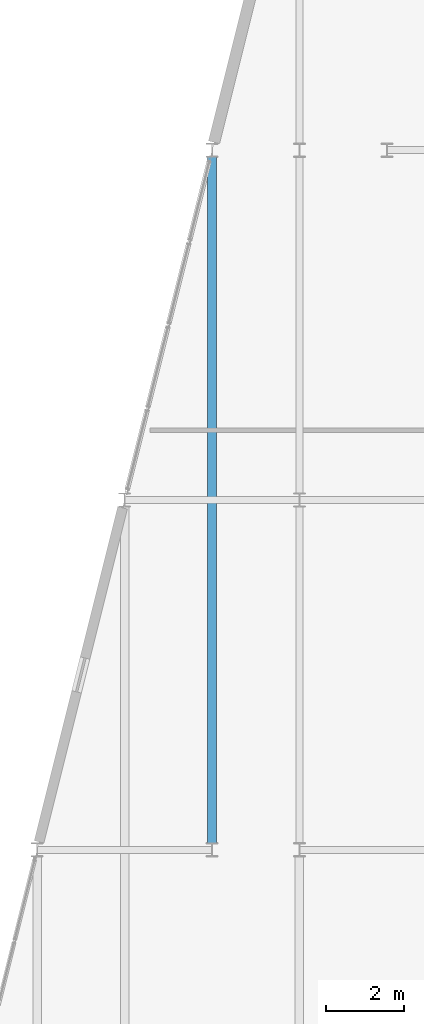
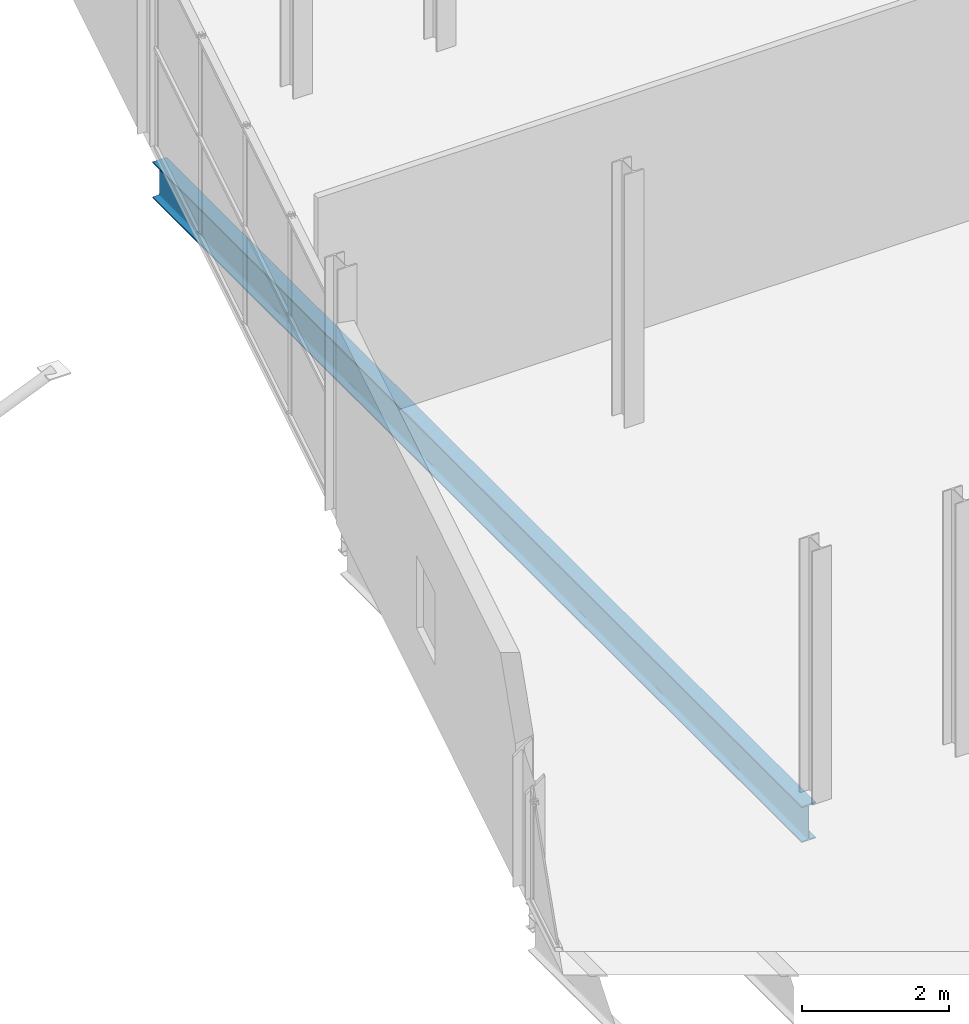
# One storey, part 96 of 140: 1 beam.
"""IFC4 building model written with IfcOpenShell, lengths in metres."""

import ifcopenshell
import ifcopenshell.guid

model = None  # the IFC model being written
_history = None  # IfcOwnerHistory: only IFC2X3 demands one
_inside = {}  # id of a spatial element -> (the spatial element, [elements in it])
_under = {}  # id of a project, library or spatial element -> (it, [spatial elements below it])
_declared = {}  # id of a project -> (the project, [libraries it declares])
_typed = {}  # id of a type object -> (the type object, [elements of that type])
_made_of = {}  # id of a material, layer set ... -> (it, [elements and type objects made of it])


def new_model(schema):
    """Start an empty IFC model of exactly this schema.

    Asked for "IFC4X3", IfcOpenShell would pick the latest addendum, in which some entities
    have other attributes; the version numbers below select the first issue.
    IFC2X3 requires an IfcOwnerHistory on every rooted entity: one is made here for all.
    """
    global model, _history
    if schema == "IFC4X3":
        model = ifcopenshell.file(schema_version=(4, 3, 0, 0))
    else:
        model = ifcopenshell.file(schema=schema)
    _inside.clear()
    _under.clear()
    _declared.clear()
    _typed.clear()
    _made_of.clear()
    _history = None
    if model.schema == "IFC2X3":
        org = make("IfcOrganization", Name="unknown")
        user = make(
            "IfcPersonAndOrganization",
            ThePerson=make("IfcPerson", FamilyName="unknown"),
            TheOrganization=org,
        )
        app = make(
            "IfcApplication",
            ApplicationDeveloper=org,
            Version="unknown",
            ApplicationFullName="unknown",
            ApplicationIdentifier="unknown",
        )
        _history = make(
            "IfcOwnerHistory",
            OwningUser=user,
            OwningApplication=app,
            ChangeAction="ADDED",
            CreationDate=0,
        )
    return model


def make(cls, **values):
    """One entity of the class cls with the attributes given. An attribute that is None is left unset."""
    return model.create_entity(
        cls, **{name: value for name, value in values.items() if value is not None}
    )


def rooted(cls, **values):
    """An entity with a GlobalId (a new one), such as an element, a storey or a relation."""
    return make(cls, GlobalId=ifcopenshell.guid.new(), OwnerHistory=_history, **values)


def si_unit(unit_type, name, prefix=None):
    """IfcSIUnit, for example si_unit("LENGTHUNIT", "METRE", prefix="MILLI")."""
    return make("IfcSIUnit", UnitType=unit_type, Prefix=prefix, Name=name)


def assignment(units):
    """IfcUnitAssignment: the units of a project."""
    return None if units is None else make("IfcUnitAssignment", Units=units)


def point(xyz):
    """IfcCartesianPoint."""
    return None if xyz is None else make("IfcCartesianPoint", Coordinates=xyz)


def direction(xyz):
    """IfcDirection."""
    return None if xyz is None else make("IfcDirection", DirectionRatios=xyz)


def frame(location, z_axis=None, x_axis=None):
    """IfcAxis2Placement3D, a coordinate frame: its origin and axes. An axis left out is left unset."""
    return make(
        "IfcAxis2Placement3D",
        Location=point(location),
        Axis=direction(z_axis),
        RefDirection=direction(x_axis),
    )


def frame_2d(location, x_axis=None):
    """IfcAxis2Placement2D, a coordinate frame in the plane: its origin and x axis."""
    return make(
        "IfcAxis2Placement2D", Location=point(location), RefDirection=direction(x_axis)
    )


def origin():
    """The frame at (0, 0, 0) with its axes left unset."""
    return frame((0.0, 0.0, 0.0))


def origin_2d():
    """The frame at (0, 0) in the plane with its x axis left unset."""
    return frame_2d((0.0, 0.0))


def place(relative_to, where):
    """IfcLocalPlacement: puts the frame where relative to a parent placement (None: the world)."""
    return make(
        "IfcLocalPlacement", PlacementRelTo=relative_to, RelativePlacement=where
    )


def context(
    kind, dimensions, precision=None, world=None, true_north=None, identifier=None
):
    """IfcGeometricRepresentationContext, for example the 3D "Model" context."""
    return make(
        "IfcGeometricRepresentationContext",
        ContextIdentifier=identifier,
        ContextType=kind,
        CoordinateSpaceDimension=dimensions,
        Precision=precision,
        WorldCoordinateSystem=world,
        TrueNorth=true_north,
    )


def subcontext(parent, identifier, kind, view, scale=None):
    """IfcGeometricRepresentationSubContext, for example "Body" below "Model"."""
    return make(
        "IfcGeometricRepresentationSubContext",
        ContextIdentifier=identifier,
        ContextType=kind,
        ParentContext=parent,
        TargetScale=scale,
        TargetView=view,
    )


def project(units=None, contexts=None):
    """IfcProject with its units and contexts."""
    return rooted(
        "IfcProject",
        Name="project",
        RepresentationContexts=contexts,
        UnitsInContext=assignment(units),
    )


def spatial(cls, under=None, at=None, **own):
    """A site, building, storey or space (cls), placed at a placement, below another one or the project."""
    s = rooted(cls, ObjectPlacement=at, **own)
    if under is not None:
        _under.setdefault(under.id(), (under, []))[1].append(s)
    return s


def profile(cls, at=None, kind="AREA", **sizes):
    """A parametric profile (cls). Its sizes go by their IFC names, for example OverallWidth=200.0."""
    return make(cls, ProfileType=kind, Position=at, **sizes)


def i_section(**sizes):
    """IfcIShapeProfileDef."""
    return profile("IfcIShapeProfileDef", **sizes)


def extrude(swept, where, along, depth):
    """IfcExtrudedAreaSolid: the profile swept, set in the frame where, extruded along a direction by depth."""
    return make(
        "IfcExtrudedAreaSolid",
        SweptArea=swept,
        Position=where,
        ExtrudedDirection=direction(along),
        Depth=depth,
    )


def shape(context_of_items, identifier, shape_type, items):
    """IfcShapeRepresentation: the items that make up one representation, for example the "Body"."""
    return make(
        "IfcShapeRepresentation",
        ContextOfItems=context_of_items,
        RepresentationIdentifier=identifier,
        RepresentationType=shape_type,
        Items=items,
    )


def material(Name=None, Category=None):
    """IfcMaterial."""
    return make("IfcMaterial", Name=Name, Category=Category)


def material_profile(
    of_material, cross_section, Name=None, Category=None, Priority=None
):
    """IfcMaterialProfile: a cross section and its material."""
    return make(
        "IfcMaterialProfile",
        Name=Name,
        Material=of_material,
        Profile=cross_section,
        Priority=Priority,
        Category=Category,
    )


def profile_set(profiles, Name=None, composite=None):
    """IfcMaterialProfileSet."""
    return make(
        "IfcMaterialProfileSet",
        Name=Name,
        MaterialProfiles=profiles,
        CompositeProfile=composite,
    )


def made_of(thing, what):
    """Note that an element or type object is made of a material, layer set ...; save() writes the relation."""
    if what is not None:
        _made_of.setdefault(what.id(), (what, []))[1].append(thing)
    return thing


def type_object(cls, material=None, **own):
    """A type object (cls), such as IfcWallType, which elements share."""
    return made_of(rooted(cls, **own), material)


def element(
    cls,
    number,
    at=None,
    inside=None,
    cuts=None,
    type_object=None,
    material=None,
    context=None,
    identifier="Body",
    shape_type=None,
    held_by="IfcProductDefinitionShape",
    body=None,
    shapes=None,
    **own,
):
    """One element of the class cls, such as IfcWall. Its Tag is "e" and its number.

    at: its placement. inside: the storey or other place that contains it. cuts: it is an
    opening in that element (IfcRelVoidsElement). A single representation is given by context,
    identifier, shape_type and body (its items); several are given by shapes. held_by: the class
    of the entity that holds the representations. save() writes the other relations.
    """
    e = rooted(cls, Tag="e%d" % number, ObjectPlacement=at, **own)
    if body is not None:
        shapes = [shape(context, identifier, shape_type, body)]
    if shapes is not None:
        e.Representation = make(held_by, Representations=shapes)
    if inside is not None:
        _inside.setdefault(inside.id(), (inside, []))[1].append(e)
    if cuts is not None:
        rooted(
            "IfcRelVoidsElement", RelatingBuildingElement=cuts, RelatedOpeningElement=e
        )
    if type_object is not None:
        _typed.setdefault(type_object.id(), (type_object, []))[1].append(e)
    return made_of(e, material)


def aggregate(whole, parts):
    """IfcRelAggregates: a whole, such as a stair, and the parts it consists of."""
    return rooted("IfcRelAggregates", RelatingObject=whole, RelatedObjects=parts)


def save(model, path):
    """Write the relations noted so far, then the file.

    IfcRelAggregates (storeys below a building ...), IfcRelContainedInSpatialStructure (elements
    in a storey), IfcRelDefinesByType, IfcRelAssociatesMaterial and IfcRelDeclares: one each for
    every whole, place, type object, material and project.
    """
    for whole, parts in _under.values():
        aggregate(whole, parts)
    for where, things in _inside.values():
        rooted(
            "IfcRelContainedInSpatialStructure",
            RelatedElements=things,
            RelatingStructure=where,
        )
    for kind, things in _typed.values():
        rooted("IfcRelDefinesByType", RelatedObjects=things, RelatingType=kind)
    for what, things in _made_of.values():
        rooted("IfcRelAssociatesMaterial", RelatedObjects=things, RelatingMaterial=what)
    for by, libraries in _declared.values():
        rooted("IfcRelDeclares", RelatingContext=by, RelatedDefinitions=libraries)
    model.write(path)


model = new_model("IFC4")

# Units and contexts
model_context = context("Model", 3, precision=1e-05, world=origin(), true_north=direction((0.0, 1.0)))
body_context = subcontext(model_context, "Body", "Model", "MODEL_VIEW")
ifc_project = project(units=[si_unit("LENGTHUNIT", "METRE"), si_unit("AREAUNIT", "SQUARE_METRE"), si_unit("VOLUMEUNIT", "CUBIC_METRE"), si_unit("PLANEANGLEUNIT", "RADIAN"), si_unit("MASSUNIT", "GRAM", prefix="KILO")], contexts=[model_context])

# Site, building, storey
site_placement = place(None, origin())
site = spatial("IfcSite", under=ifc_project, at=site_placement, CompositionType="ELEMENT")
building_placement = place(site_placement, origin())
building = spatial("IfcBuilding", under=site, at=building_placement, Name="Deido Ridge Mobility Hub", CompositionType="ELEMENT")
storey_placement = place(building_placement, origin())
storey = spatial("IfcBuildingStorey", under=building, at=storey_placement, Name="L00", CompositionType="ELEMENT", Elevation=0.0)

# Beam
ifc_material = material(Name="Steel S355J2 EN 10025-2", Category="steel")
ifc_material_profile = material_profile(ifc_material, i_section(OverallWidth=0.219970703125, OverallDepth=0.60009765625, WebThickness=0.011962890625, FlangeThickness=0.01904296875, FilletRadius=0.02392578125, at=origin_2d()), Name="IPE 600")
ifc_profile_set = profile_set([ifc_material_profile], Name="Steel S355J2 EN 10025-2")
beam_type = type_object("IfcBeamType", Name="BM-IPE600", PredefinedType="BEAM", material=ifc_profile_set)
beam_placement = place(storey_placement, frame((132.75, 45.179931640625, -0.56005859375), z_axis=(0.0, 1.0, 0.0), x_axis=(-1.0, 0.0, 0.0)))
element("IfcBeam", 1, at=beam_placement, inside=storey, type_object=beam_type, Name="Floor beam B1", PredefinedType="BEAM", context=body_context, shape_type="SweptSolid", body=[
    extrude(i_section(OverallWidth=0.219970703125, OverallDepth=0.60009765625, WebThickness=0.011962890625, FlangeThickness=0.01904296875, FilletRadius=0.02392578125, at=origin_2d()), origin(), (0.0, 0.0, 1.0), 17.64013671875),
])

save(model, "model.ifc")
